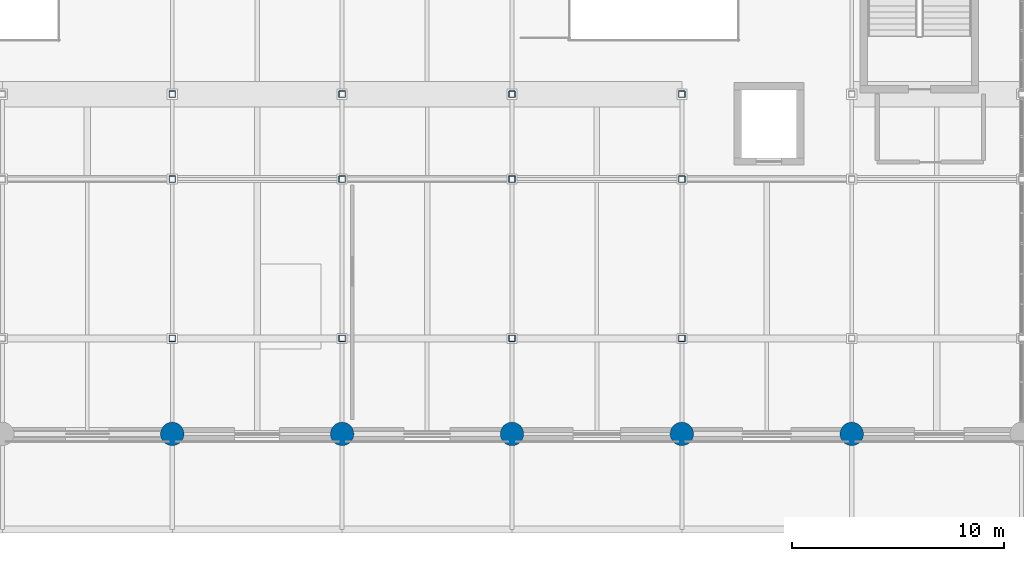
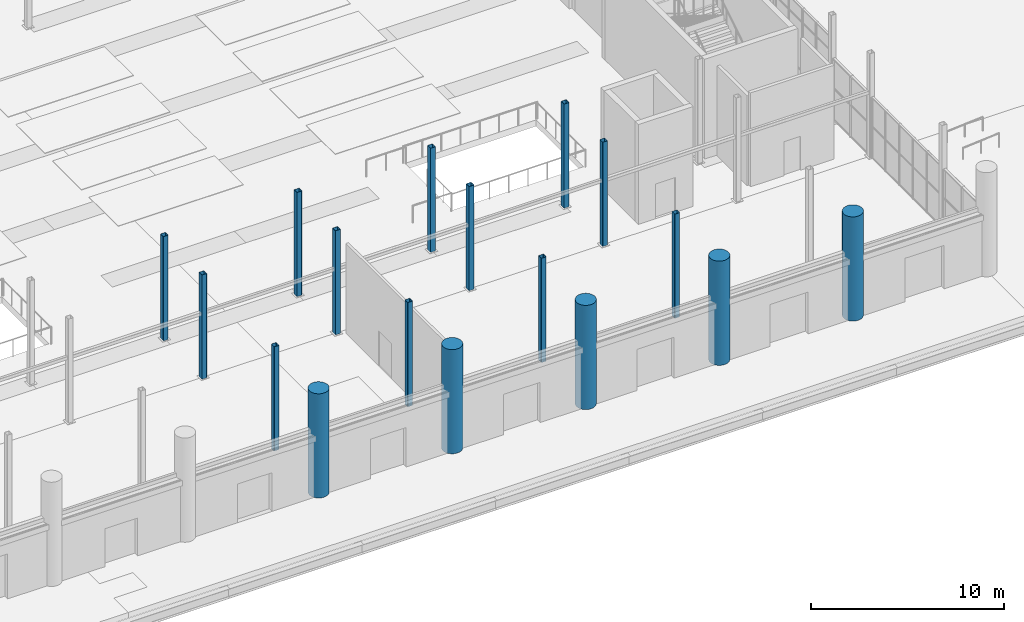
# One storey, part 5 of 140: 17 columns.
"""IFC4 building model written with IfcOpenShell, lengths in metres."""

from ifc_helpers import new_model, si_unit, direction, frame, origin, origin_2d, place, context, subcontext, project, spatial, hollow_rectangle, circle, extrude, material, material_profile, profile_set, type_object, element, save


model = new_model("IFC4")

# Units and contexts
model_context = context("Model", 3, precision=1e-05, world=origin(), true_north=direction((0.0, 1.0)))
body_context = subcontext(model_context, "Body", "Model", "MODEL_VIEW")
ifc_project = project(units=[si_unit("LENGTHUNIT", "METRE"), si_unit("AREAUNIT", "SQUARE_METRE"), si_unit("VOLUMEUNIT", "CUBIC_METRE"), si_unit("PLANEANGLEUNIT", "RADIAN"), si_unit("MASSUNIT", "GRAM", prefix="KILO")], contexts=[model_context])

# Site, building, storey
site_placement = place(None, origin())
site = spatial("IfcSite", under=ifc_project, at=site_placement, CompositionType="ELEMENT")
building_placement = place(site_placement, origin())
building = spatial("IfcBuilding", under=site, at=building_placement, Name="Verrall Gate Interchange", CompositionType="ELEMENT")
storey_placement = place(building_placement, origin())
storey = spatial("IfcBuildingStorey", under=building, at=storey_placement, Name="L01", CompositionType="ELEMENT", Elevation=0.0)

# Columns
ifc_material_1 = material(Name="Concrete CSA A23.1 40 MPa (Class C-1)", Category="concrete")
ifc_material_profile_1 = material_profile(ifc_material_1, circle(Radius=0.550048828125, at=origin_2d()), Name="RC1100D")
ifc_profile_set_1 = profile_set([ifc_material_profile_1], Name="Concrete CSA A23.1 40 MPa (Class C-1)")
column_type_1 = type_object("IfcColumnType", Name="C-06 Column RC1100D", PredefinedType="COLUMN", material=ifc_profile_set_1)
for number, where, z_axis, x_axis, name in (
    (1, (68.0, 0.0, 0.0), (0.0, 0.0, 1.0), (1.0, 0.0, 0.0), "L01 Column COL-L01-0940 (C-06)"),
    (2, (76.0, 0.0, 0.0), (0.0, 0.0, 1.0), (1.0, 0.0, 0.0), "L01 Column COL-L01-0974 (C-06)"),
    (3, (84.0, 0.0, 0.0), (0.0, 0.0, 1.0), (1.0, 0.0, 0.0), "L01 Column COL-L01-1012 (C-06)"),
    (4, (92.0, 0.0, 0.0), (0.0, 0.0, 1.0), (1.0, 0.0, 0.0), "L01 Column COL-L01-1050 (C-06)"),
    (5, (100.0, 0.0, 0.0), (0.0, 0.0, 1.0), (1.0, 0.0, 0.0), "L01 Column COL-L01-1086 (C-06)"),
):
    element("IfcColumn", number, at=place(storey_placement, frame(where, z_axis=z_axis, x_axis=x_axis)), inside=storey, type_object=column_type_1, Name=name, PredefinedType="COLUMN", context=body_context, shape_type="SweptSolid", body=[
        extrude(circle(Radius=0.550048828125, at=origin_2d()), origin(), (0.0, 0.0, 1.0), 6.60009765625),
    ])
ifc_material_2 = material(Name="Structural Steel CSA G40.21 350WT Cat 4", Category="steel")
ifc_material_profile_2 = material_profile(ifc_material_2, hollow_rectangle(XDim=0.304931640625, YDim=0.304931640625, WallThickness=0.0126953125, InnerFilletRadius=0.0126953125, OuterFilletRadius=0.025390625, at=origin_2d()), Name="HSS305x305x13")
ifc_profile_set_2 = profile_set([ifc_material_profile_2], Name="Structural Steel CSA G40.21 350WT Cat 4")
column_type_2 = type_object("IfcColumnType", Name="C-12 Column HSS305x305x13", PredefinedType="COLUMN", material=ifc_profile_set_2)
for number, where, z_axis, x_axis, name in (
    (6, (68.0, 4.5, 0.0), (0.0, 0.0, 1.0), (1.0, 0.0, 0.0), "L01 Column COL-L01-0944 (C-12)"),
    (7, (68.0, 12.0, 0.0), (0.0, 0.0, 1.0), (1.0, 0.0, 0.0), "L01 Column COL-L01-0948 (C-12)"),
    (8, (68.0, 16.0, 0.0), (0.0, 0.0, 1.0), (1.0, 0.0, 0.0), "L01 Column COL-L01-0952 (C-12)"),
    (9, (76.0, 4.5, 0.0), (0.0, 0.0, 1.0), (1.0, 0.0, 0.0), "L01 Column COL-L01-0978 (C-12)"),
    (10, (76.0, 12.0, 0.0), (0.0, 0.0, 1.0), (1.0, 0.0, 0.0), "L01 Column COL-L01-0982 (C-12)"),
    (11, (76.0, 16.0, 0.0), (0.0, 0.0, 1.0), (1.0, 0.0, 0.0), "L01 Column COL-L01-0986 (C-12)"),
    (12, (84.0, 4.5, 0.0), (0.0, 0.0, 1.0), (1.0, 0.0, 0.0), "L01 Column COL-L01-1016 (C-12)"),
    (13, (84.0, 12.0, 0.0), (0.0, 0.0, 1.0), (1.0, 0.0, 0.0), "L01 Column COL-L01-1020 (C-12)"),
    (14, (84.0, 16.0, 0.0), (0.0, 0.0, 1.0), (1.0, 0.0, 0.0), "L01 Column COL-L01-1024 (C-12)"),
    (15, (92.0, 4.5, 0.0), (0.0, 0.0, 1.0), (1.0, 0.0, 0.0), "L01 Column COL-L01-1054 (C-12)"),
    (16, (92.0, 12.0, 0.0), (0.0, 0.0, 1.0), (1.0, 0.0, 0.0), "L01 Column COL-L01-1058 (C-12)"),
    (17, (92.0, 16.0, 0.0), (0.0, 0.0, 1.0), (1.0, 0.0, 0.0), "L01 Column COL-L01-1062 (C-12)"),
):
    element("IfcColumn", number, at=place(storey_placement, frame(where, z_axis=z_axis, x_axis=x_axis)), inside=storey, type_object=column_type_2, Name=name, PredefinedType="COLUMN", context=body_context, shape_type="SweptSolid", body=[
        extrude(hollow_rectangle(XDim=0.304931640625, YDim=0.304931640625, WallThickness=0.0126953125, InnerFilletRadius=0.0126953125, OuterFilletRadius=0.025390625, at=origin_2d()), origin(), (0.0, 0.0, 1.0), 6.60009765625),
    ])

save(model, "model.ifc")
